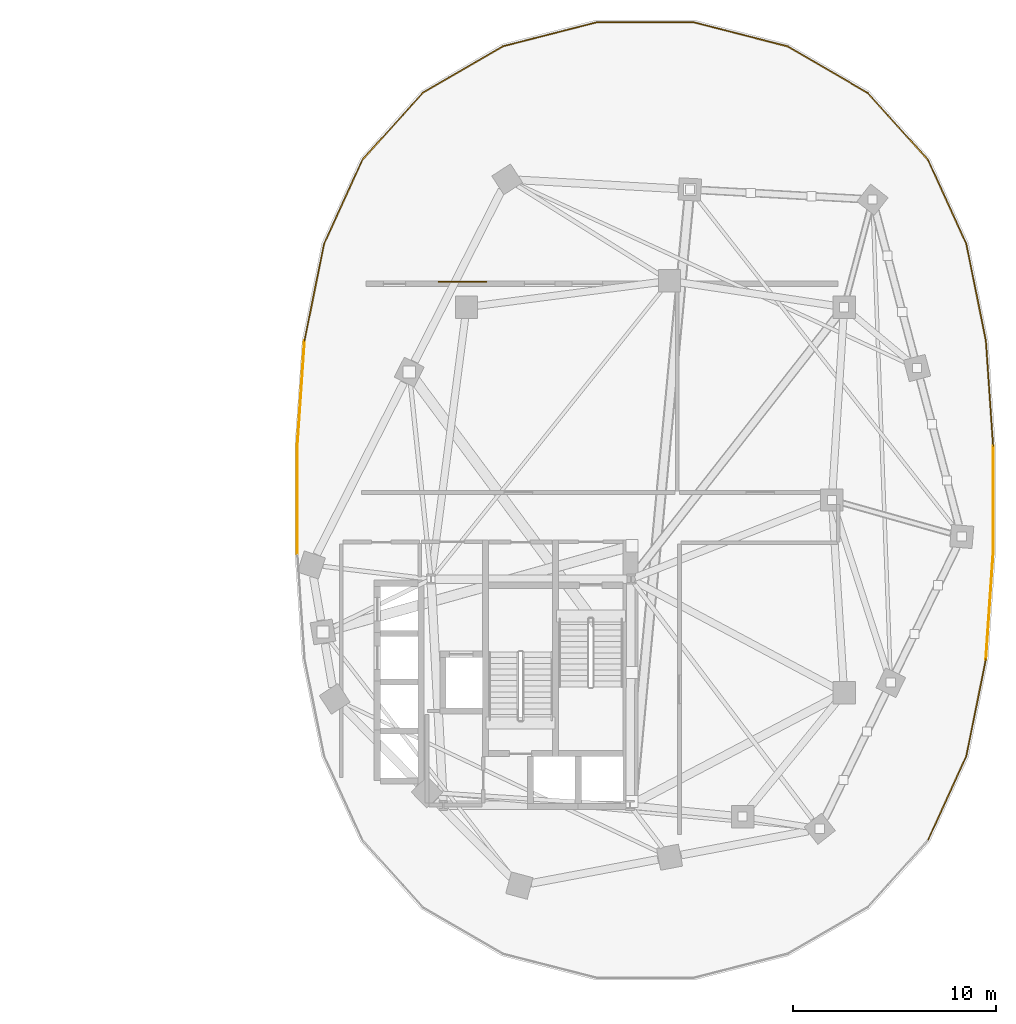
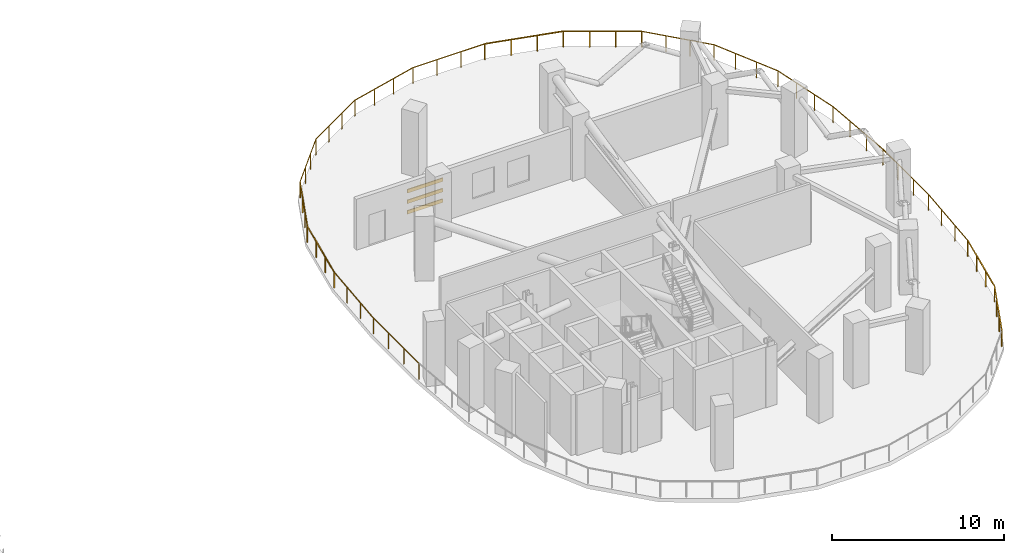
# One storey, part 13 of 13: 9 railings, 3 shading devices.
"""IFC4 building model written with IfcOpenShell, lengths in metres."""

from ifc_helpers import new_model, si_unit, direction, frame, origin, origin_2d, place, context, subcontext, project, spatial, rectangle, extrude, material, material_profile, profile_set, type_object, element, save


model = new_model("IFC4")

# Units and contexts
model_context = context("Model", 3, precision=1e-05, world=origin(), true_north=direction((0.0, 1.0)))
body_context = subcontext(model_context, "Body", "Model", "MODEL_VIEW")
ifc_project = project(units=[si_unit("LENGTHUNIT", "METRE"), si_unit("AREAUNIT", "SQUARE_METRE"), si_unit("VOLUMEUNIT", "CUBIC_METRE"), si_unit("PLANEANGLEUNIT", "RADIAN"), si_unit("MASSUNIT", "GRAM", prefix="KILO"), si_unit("THERMODYNAMICTEMPERATUREUNIT", "KELVIN"), si_unit("POWERUNIT", "WATT")], contexts=[model_context])

# Site, building, storey
site_placement = place(None, origin())
site = spatial("IfcSite", under=ifc_project, at=site_placement, CompositionType="ELEMENT")
building_placement = place(site_placement, origin())
building = spatial("IfcBuilding", under=site, at=building_placement, Name="Cundina Bronze Exchange", CompositionType="ELEMENT")
storey_placement = place(building_placement, frame((0.0, 0.0, 77.199951171875)))
storey = spatial("IfcBuildingStorey", under=building, at=storey_placement, Name="L19", CompositionType="ELEMENT", Elevation=77.199951171875)

# Railings
ifc_material = material(Name="Anodised Bronze Aluminium 6063-T6", Category="aluminium")
railing_type = type_object("IfcRailingType", Name="RLG-GRD-1150", PredefinedType="GUARDRAIL", material=ifc_material)
railing_1_placement = place(storey_placement, frame((49.14208984375, 2.660888671875, 0.0)))
element("IfcRailing", 1, at=railing_1_placement, inside=storey, type_object=railing_type, Name="L19 Perimeter Safety Guardrail 01", PredefinedType="GUARDRAIL", context=body_context, shape_type="SweptSolid", body=[
    extrude(rectangle(XDim=0.048095703125, YDim=0.048095703125, at=origin_2d()), frame((0.0, 0.0, 1.1259765625), z_axis=(0.0, -1.0, 0.0), x_axis=(1.0, 0.0, 0.0)), (0.0, 0.0, 1.0), 5.32177734375),
    extrude(rectangle(XDim=0.048095703125, YDim=0.048095703125, at=origin_2d()), frame((0.0, -5.32177734375, 1.1259765625), z_axis=(-0.068548934488, -0.997647755263, 0.0), x_axis=(0.997647755263, -0.068548934488, 0.0)), (0.0, 0.0, 1.0), 5.1962890625),
    extrude(rectangle(XDim=0.0419921875, YDim=0.0419921875, at=origin_2d()), origin(), (0.0, 0.0, 1.0), 1.101806640625),
    extrude(rectangle(XDim=0.0419921875, YDim=0.0419921875, at=origin_2d()), frame((0.0, -1.77392578125, 0.0)), (0.0, 0.0, 1.0), 1.101806640625),
    extrude(rectangle(XDim=0.0419921875, YDim=0.0419921875, at=origin_2d()), frame((0.0, -3.5478515625, 0.0)), (0.0, 0.0, 1.0), 1.101806640625),
    extrude(rectangle(XDim=0.0419921875, YDim=0.0419921875, at=origin_2d()), frame((0.0, -5.32177734375, 0.0)), (0.0, 0.0, 1.0), 1.101806640625),
    extrude(rectangle(XDim=0.0419921875, YDim=0.0419921875, at=origin_2d()), frame((-0.11865234375, -7.0498046875, 0.0)), (0.0, 0.0, 1.0), 1.101806640625),
    extrude(rectangle(XDim=0.0419921875, YDim=0.0419921875, at=origin_2d()), frame((-0.237548828125, -8.77783203125, 0.0)), (0.0, 0.0, 1.0), 1.101806640625),
    extrude(rectangle(XDim=0.0419921875, YDim=0.0419921875, at=origin_2d()), frame((-0.356201171875, -10.505859375, 0.0)), (0.0, 0.0, 1.0), 1.101806640625),
])
railing_2_placement = place(storey_placement, frame((48.785888671875, -7.844970703125, 0.0)))
element("IfcRailing", 2, at=railing_2_placement, inside=storey, type_object=railing_type, Name="L19 Perimeter Safety Guardrail 02", PredefinedType="GUARDRAIL", context=body_context, shape_type="SweptSolid", body=[
    extrude(rectangle(XDim=0.048095703125, YDim=0.048095703125, at=origin_2d()), frame((0.0, 0.0, 1.1259765625), z_axis=(-0.198060616224, -0.980189773616, 0.0), x_axis=(0.980189773616, -0.198060616224, 0.0)), (0.0, 0.0, 1.0), 4.87646484375),
    extrude(rectangle(XDim=0.048095703125, YDim=0.048095703125, at=origin_2d()), frame((-0.9658203125, -4.77978515625, 1.1259765625), z_axis=(-0.415419797692, -0.909629810244, 0.0), x_axis=(0.909629810244, -0.415419797692, 0.0)), (0.0, 0.0, 1.0), 4.548828125),
    extrude(rectangle(XDim=0.0419921875, YDim=0.0419921875, at=origin_2d()), origin(), (0.0, 0.0, 1.0), 1.101806640625),
    extrude(rectangle(XDim=0.0419921875, YDim=0.0419921875, at=origin_2d()), frame((-0.322021484375, -1.59326171875, 0.0)), (0.0, 0.0, 1.0), 1.101806640625),
    extrude(rectangle(XDim=0.0419921875, YDim=0.0419921875, at=origin_2d()), frame((-0.643798828125, -3.1865234375, 0.0)), (0.0, 0.0, 1.0), 1.101806640625),
    extrude(rectangle(XDim=0.0419921875, YDim=0.0419921875, at=origin_2d()), frame((-0.9658203125, -4.77978515625, 0.0)), (0.0, 0.0, 1.0), 1.101806640625),
    extrude(rectangle(XDim=0.0419921875, YDim=0.0419921875, at=origin_2d()), frame((-1.595703125, -6.158935546875, 0.0)), (0.0, 0.0, 1.0), 1.101806640625),
    extrude(rectangle(XDim=0.0419921875, YDim=0.0419921875, at=origin_2d()), frame((-2.2255859375, -7.538330078125, 0.0)), (0.0, 0.0, 1.0), 1.101806640625),
    extrude(rectangle(XDim=0.0419921875, YDim=0.0419921875, at=origin_2d()), frame((-2.85546875, -8.91748046875, 0.0)), (0.0, 0.0, 1.0), 1.101806640625),
])
railing_3_placement = place(storey_placement, frame((14.85791015625, -2.660888671875, 0.0)))
element("IfcRailing", 3, at=railing_3_placement, inside=storey, type_object=railing_type, Name="L19 Perimeter Safety Guardrail 08", PredefinedType="GUARDRAIL", context=body_context, shape_type="SweptSolid", body=[
    extrude(rectangle(XDim=0.048095703125, YDim=0.048095703125, at=origin_2d()), frame((0.0, 0.0, 1.1259765625), z_axis=(0.0, 1.0, 0.0), x_axis=(-1.0, 0.0, 0.0)), (0.0, 0.0, 1.0), 5.32177734375),
    extrude(rectangle(XDim=0.048095703125, YDim=0.048095703125, at=origin_2d()), frame((0.0, 5.32177734375, 1.1259765625), z_axis=(0.068548934488, 0.997647755263, 0.0), x_axis=(-0.997647755263, 0.068548934488, 0.0)), (0.0, 0.0, 1.0), 5.1962890625),
    extrude(rectangle(XDim=0.0419921875, YDim=0.0419921875, at=origin_2d()), origin(), (0.0, 0.0, 1.0), 1.101806640625),
    extrude(rectangle(XDim=0.0419921875, YDim=0.0419921875, at=origin_2d()), frame((0.0, 1.77392578125, 0.0)), (0.0, 0.0, 1.0), 1.101806640625),
    extrude(rectangle(XDim=0.0419921875, YDim=0.0419921875, at=origin_2d()), frame((0.0, 3.5478515625, 0.0)), (0.0, 0.0, 1.0), 1.101806640625),
    extrude(rectangle(XDim=0.0419921875, YDim=0.0419921875, at=origin_2d()), frame((0.0, 5.32177734375, 0.0)), (0.0, 0.0, 1.0), 1.101806640625),
    extrude(rectangle(XDim=0.0419921875, YDim=0.0419921875, at=origin_2d()), frame((0.11865234375, 7.0498046875, 0.0)), (0.0, 0.0, 1.0), 1.101806640625),
    extrude(rectangle(XDim=0.0419921875, YDim=0.0419921875, at=origin_2d()), frame((0.237548828125, 8.77783203125, 0.0)), (0.0, 0.0, 1.0), 1.101806640625),
    extrude(rectangle(XDim=0.0419921875, YDim=0.0419921875, at=origin_2d()), frame((0.356201171875, 10.505859375, 0.0)), (0.0, 0.0, 1.0), 1.101806640625),
])
railing_4_placement = place(storey_placement, frame((15.214111328125, 7.844970703125, 0.0)))
element("IfcRailing", 4, at=railing_4_placement, inside=storey, type_object=railing_type, Name="L19 Perimeter Safety Guardrail 09", PredefinedType="GUARDRAIL", context=body_context, shape_type="SweptSolid", body=[
    extrude(rectangle(XDim=0.048095703125, YDim=0.048095703125, at=origin_2d()), frame((0.0, 0.0, 1.1259765625), z_axis=(0.198060616224, 0.980189773616, 0.0), x_axis=(-0.980189773616, 0.198060616224, 0.0)), (0.0, 0.0, 1.0), 4.87646484375),
    extrude(rectangle(XDim=0.048095703125, YDim=0.048095703125, at=origin_2d()), frame((0.9658203125, 4.77978515625, 1.1259765625), z_axis=(0.415419797692, 0.909629810244, 0.0), x_axis=(-0.909629810244, 0.415419797692, 0.0)), (0.0, 0.0, 1.0), 4.548828125),
    extrude(rectangle(XDim=0.0419921875, YDim=0.0419921875, at=origin_2d()), origin(), (0.0, 0.0, 1.0), 1.101806640625),
    extrude(rectangle(XDim=0.0419921875, YDim=0.0419921875, at=origin_2d()), frame((0.322021484375, 1.59326171875, 0.0)), (0.0, 0.0, 1.0), 1.101806640625),
    extrude(rectangle(XDim=0.0419921875, YDim=0.0419921875, at=origin_2d()), frame((0.643798828125, 3.1865234375, 0.0)), (0.0, 0.0, 1.0), 1.101806640625),
    extrude(rectangle(XDim=0.0419921875, YDim=0.0419921875, at=origin_2d()), frame((0.9658203125, 4.77978515625, 0.0)), (0.0, 0.0, 1.0), 1.101806640625),
    extrude(rectangle(XDim=0.0419921875, YDim=0.0419921875, at=origin_2d()), frame((1.595703125, 6.158935546875, 0.0)), (0.0, 0.0, 1.0), 1.101806640625),
    extrude(rectangle(XDim=0.0419921875, YDim=0.0419921875, at=origin_2d()), frame((2.2255859375, 7.538330078125, 0.0)), (0.0, 0.0, 1.0), 1.101806640625),
    extrude(rectangle(XDim=0.0419921875, YDim=0.0419921875, at=origin_2d()), frame((2.85546875, 8.91748046875, 0.0)), (0.0, 0.0, 1.0), 1.101806640625),
])
railing_5_placement = place(storey_placement, frame((18.069580078125, 16.762451171875, 0.0)))
element("IfcRailing", 5, at=railing_5_placement, inside=storey, type_object=railing_type, Name="L19 Perimeter Safety Guardrail 10", PredefinedType="GUARDRAIL", context=body_context, shape_type="SweptSolid", body=[
    extrude(rectangle(XDim=0.048095703125, YDim=0.048095703125, at=origin_2d()), frame((0.0, 0.0, 1.1259765625), z_axis=(0.669381252421, 0.742919066189, 0.0), x_axis=(-0.742919066189, 0.669381252421, 0.0)), (0.0, 0.0, 1.0), 4.435546875),
    extrude(rectangle(XDim=0.048095703125, YDim=0.048095703125, at=origin_2d()), frame((2.968994140625, 3.295166015625, 1.1259765625), z_axis=(0.864468804017, 0.502686469762, 0.0), x_axis=(-0.502686469762, 0.864468804017, 0.0)), (0.0, 0.0, 1.0), 4.56396484375),
    extrude(rectangle(XDim=0.0419921875, YDim=0.0419921875, at=origin_2d()), origin(), (0.0, 0.0, 1.0), 1.101806640625),
    extrude(rectangle(XDim=0.0419921875, YDim=0.0419921875, at=origin_2d()), frame((0.98974609375, 1.098388671875, 0.0)), (0.0, 0.0, 1.0), 1.101806640625),
    extrude(rectangle(XDim=0.0419921875, YDim=0.0419921875, at=origin_2d()), frame((1.979248046875, 2.19677734375, 0.0)), (0.0, 0.0, 1.0), 1.101806640625),
    extrude(rectangle(XDim=0.0419921875, YDim=0.0419921875, at=origin_2d()), frame((2.968994140625, 3.295166015625, 0.0)), (0.0, 0.0, 1.0), 1.101806640625),
    extrude(rectangle(XDim=0.0419921875, YDim=0.0419921875, at=origin_2d()), frame((4.2841796875, 4.059814453125, 0.0)), (0.0, 0.0, 1.0), 1.101806640625),
    extrude(rectangle(XDim=0.0419921875, YDim=0.0419921875, at=origin_2d()), frame((5.59912109375, 4.82470703125, 0.0)), (0.0, 0.0, 1.0), 1.101806640625),
    extrude(rectangle(XDim=0.0419921875, YDim=0.0419921875, at=origin_2d()), frame((6.914306640625, 5.58935546875, 0.0)), (0.0, 0.0, 1.0), 1.101806640625),
])
railing_6_placement = place(storey_placement, frame((24.98388671875, 22.351806640625, 0.0)))
element("IfcRailing", 6, at=railing_6_placement, inside=storey, type_object=railing_type, Name="L19 Perimeter Safety Guardrail 11", PredefinedType="GUARDRAIL", context=body_context, shape_type="SweptSolid", body=[
    extrude(rectangle(XDim=0.048095703125, YDim=0.048095703125, at=origin_2d()), frame((0.0, 0.0, 1.1259765625), z_axis=(0.968744989664, 0.248058753123, 0.0), x_axis=(-0.248058753123, 0.968744989664, 0.0)), (0.0, 0.0, 1.0), 4.749755859375),
    extrude(rectangle(XDim=0.048095703125, YDim=0.048095703125, at=origin_2d()), frame((4.601318359375, 1.17822265625, 1.1259765625), z_axis=(1.0, 0.0, 0.0), x_axis=(0.0, 1.0, 0.0)), (0.0, 0.0, 1.0), 4.82958984375),
    extrude(rectangle(XDim=0.0419921875, YDim=0.0419921875, at=origin_2d()), origin(), (0.0, 0.0, 1.0), 1.101806640625),
    extrude(rectangle(XDim=0.0419921875, YDim=0.0419921875, at=origin_2d()), frame((1.53369140625, 0.392822265625, 0.0)), (0.0, 0.0, 1.0), 1.101806640625),
    extrude(rectangle(XDim=0.0419921875, YDim=0.0419921875, at=origin_2d()), frame((3.067626953125, 0.785400390625, 0.0)), (0.0, 0.0, 1.0), 1.101806640625),
    extrude(rectangle(XDim=0.0419921875, YDim=0.0419921875, at=origin_2d()), frame((4.601318359375, 1.17822265625, 0.0)), (0.0, 0.0, 1.0), 1.101806640625),
    extrude(rectangle(XDim=0.0419921875, YDim=0.0419921875, at=origin_2d()), frame((6.211181640625, 1.17822265625, 0.0)), (0.0, 0.0, 1.0), 1.101806640625),
    extrude(rectangle(XDim=0.0419921875, YDim=0.0419921875, at=origin_2d()), frame((7.821044921875, 1.17822265625, 0.0)), (0.0, 0.0, 1.0), 1.101806640625),
    extrude(rectangle(XDim=0.0419921875, YDim=0.0419921875, at=origin_2d()), frame((9.430908203125, 1.17822265625, 0.0)), (0.0, 0.0, 1.0), 1.101806640625),
])
railing_7_placement = place(storey_placement, frame((34.414794921875, 23.530029296875, 0.0)))
element("IfcRailing", 7, at=railing_7_placement, inside=storey, type_object=railing_type, Name="L19 Perimeter Safety Guardrail 12", PredefinedType="GUARDRAIL", context=body_context, shape_type="SweptSolid", body=[
    extrude(rectangle(XDim=0.048095703125, YDim=0.048095703125, at=origin_2d()), frame((0.0, 0.0, 1.1259765625), z_axis=(0.968744989664, -0.248058753123, 0.0), x_axis=(0.248058753123, 0.968744989664, 0.0)), (0.0, 0.0, 1.0), 4.749755859375),
    extrude(rectangle(XDim=0.048095703125, YDim=0.048095703125, at=origin_2d()), frame((4.601318359375, -1.17822265625, 1.1259765625), z_axis=(0.864468804017, -0.502686469762, 0.0), x_axis=(0.502686469762, 0.864468804017, 0.0)), (0.0, 0.0, 1.0), 4.56396484375),
    extrude(rectangle(XDim=0.0419921875, YDim=0.0419921875, at=origin_2d()), origin(), (0.0, 0.0, 1.0), 1.101806640625),
    extrude(rectangle(XDim=0.0419921875, YDim=0.0419921875, at=origin_2d()), frame((1.53369140625, -0.392822265625, 0.0)), (0.0, 0.0, 1.0), 1.101806640625),
    extrude(rectangle(XDim=0.0419921875, YDim=0.0419921875, at=origin_2d()), frame((3.067626953125, -0.785400390625, 0.0)), (0.0, 0.0, 1.0), 1.101806640625),
    extrude(rectangle(XDim=0.0419921875, YDim=0.0419921875, at=origin_2d()), frame((4.601318359375, -1.17822265625, 0.0)), (0.0, 0.0, 1.0), 1.101806640625),
    extrude(rectangle(XDim=0.0419921875, YDim=0.0419921875, at=origin_2d()), frame((5.91650390625, -1.94287109375, 0.0)), (0.0, 0.0, 1.0), 1.101806640625),
    extrude(rectangle(XDim=0.0419921875, YDim=0.0419921875, at=origin_2d()), frame((7.2314453125, -2.707763671875, 0.0)), (0.0, 0.0, 1.0), 1.101806640625),
    extrude(rectangle(XDim=0.0419921875, YDim=0.0419921875, at=origin_2d()), frame((8.546630859375, -3.472412109375, 0.0)), (0.0, 0.0, 1.0), 1.101806640625),
])
railing_8_placement = place(storey_placement, frame((42.96142578125, 20.0576171875, 0.0)))
element("IfcRailing", 8, at=railing_8_placement, inside=storey, type_object=railing_type, Name="L19 Perimeter Safety Guardrail 13", PredefinedType="GUARDRAIL", context=body_context, shape_type="SweptSolid", body=[
    extrude(rectangle(XDim=0.048095703125, YDim=0.048095703125, at=origin_2d()), frame((0.0, 0.0, 1.1259765625), z_axis=(0.669381252421, -0.742919066189, 0.0), x_axis=(0.742919066189, 0.669381252421, 0.0)), (0.0, 0.0, 1.0), 4.435546875),
    extrude(rectangle(XDim=0.048095703125, YDim=0.048095703125, at=origin_2d()), frame((2.968994140625, -3.295166015625, 1.1259765625), z_axis=(0.415419797692, -0.909629810244, 0.0), x_axis=(0.909629810244, 0.415419797692, 0.0)), (0.0, 0.0, 1.0), 4.548828125),
    extrude(rectangle(XDim=0.0419921875, YDim=0.0419921875, at=origin_2d()), origin(), (0.0, 0.0, 1.0), 1.101806640625),
    extrude(rectangle(XDim=0.0419921875, YDim=0.0419921875, at=origin_2d()), frame((0.98974609375, -1.098388671875, 0.0)), (0.0, 0.0, 1.0), 1.101806640625),
    extrude(rectangle(XDim=0.0419921875, YDim=0.0419921875, at=origin_2d()), frame((1.979248046875, -2.19677734375, 0.0)), (0.0, 0.0, 1.0), 1.101806640625),
    extrude(rectangle(XDim=0.0419921875, YDim=0.0419921875, at=origin_2d()), frame((2.968994140625, -3.295166015625, 0.0)), (0.0, 0.0, 1.0), 1.101806640625),
    extrude(rectangle(XDim=0.0419921875, YDim=0.0419921875, at=origin_2d()), frame((3.598876953125, -4.67431640625, 0.0)), (0.0, 0.0, 1.0), 1.101806640625),
    extrude(rectangle(XDim=0.0419921875, YDim=0.0419921875, at=origin_2d()), frame((4.228759765625, -6.0537109375, 0.0)), (0.0, 0.0, 1.0), 1.101806640625),
    extrude(rectangle(XDim=0.0419921875, YDim=0.0419921875, at=origin_2d()), frame((4.858642578125, -7.432861328125, 0.0)), (0.0, 0.0, 1.0), 1.101806640625),
])
railing_9_placement = place(storey_placement, frame((47.820068359375, 12.624755859375, 0.0)))
element("IfcRailing", 9, at=railing_9_placement, inside=storey, type_object=railing_type, Name="L19 Perimeter Safety Guardrail 14", PredefinedType="GUARDRAIL", context=body_context, shape_type="SweptSolid", body=[
    extrude(rectangle(XDim=0.048095703125, YDim=0.048095703125, at=origin_2d()), frame((0.0, 0.0, 1.1259765625), z_axis=(0.198060616224, -0.980189773616, 0.0), x_axis=(0.980189773616, 0.198060616224, 0.0)), (0.0, 0.0, 1.0), 4.87646484375),
    extrude(rectangle(XDim=0.048095703125, YDim=0.048095703125, at=origin_2d()), frame((0.9658203125, -4.77978515625, 1.1259765625), z_axis=(0.068548934488, -0.997647755263, 0.0), x_axis=(0.997647755263, 0.068548934488, 0.0)), (0.0, 0.0, 1.0), 5.1962890625),
    extrude(rectangle(XDim=0.0419921875, YDim=0.0419921875, at=origin_2d()), origin(), (0.0, 0.0, 1.0), 1.101806640625),
    extrude(rectangle(XDim=0.0419921875, YDim=0.0419921875, at=origin_2d()), frame((0.322021484375, -1.59326171875, 0.0)), (0.0, 0.0, 1.0), 1.101806640625),
    extrude(rectangle(XDim=0.0419921875, YDim=0.0419921875, at=origin_2d()), frame((0.643798828125, -3.1865234375, 0.0)), (0.0, 0.0, 1.0), 1.101806640625),
    extrude(rectangle(XDim=0.0419921875, YDim=0.0419921875, at=origin_2d()), frame((0.9658203125, -4.77978515625, 0.0)), (0.0, 0.0, 1.0), 1.101806640625),
    extrude(rectangle(XDim=0.0419921875, YDim=0.0419921875, at=origin_2d()), frame((1.08447265625, -6.5078125, 0.0)), (0.0, 0.0, 1.0), 1.101806640625),
    extrude(rectangle(XDim=0.0419921875, YDim=0.0419921875, at=origin_2d()), frame((1.203369140625, -8.23583984375, 0.0)), (0.0, 0.0, 1.0), 1.101806640625),
    extrude(rectangle(XDim=0.0419921875, YDim=0.0419921875, at=origin_2d()), frame((1.322021484375, -9.9638671875, 0.0)), (0.0, 0.0, 1.0), 1.101806640625),
])

# Shading devices
ifc_material_profile = material_profile(ifc_material, rectangle(XDim=0.06005859375, YDim=0.25, at=origin_2d()), Name="LVR60X250", Category="aluminium")
ifc_profile_set = profile_set([ifc_material_profile], Name="Anodised Bronze Aluminium 6063-T6")
shading_device_type = type_object("IfcShadingDeviceType", Name="SHD-LVR-BRZ250", PredefinedType="JALOUSIE", material=ifc_profile_set)
for number, where, z_axis, x_axis, name in (
    (10, (21.800048828125, 10.760009765625, 1.300048828125), (1.0, 0.0, 0.0), (0.0, 1.0, 0.0), "L19 Leg E Plant Intake Jalousie Louvre 1"),
    (11, (21.800048828125, 10.760009765625, 2.050048828125), (1.0, 0.0, 0.0), (0.0, 1.0, 0.0), "L19 Leg E Plant Intake Jalousie Louvre 2"),
    (12, (21.800048828125, 10.760009765625, 2.800048828125), (1.0, 0.0, 0.0), (0.0, 1.0, 0.0), "L19 Leg E Plant Intake Jalousie Louvre 3"),
):
    element("IfcShadingDevice", number, at=place(storey_placement, frame(where, z_axis=z_axis, x_axis=x_axis)), inside=storey, type_object=shading_device_type, Name=name, PredefinedType="JALOUSIE", context=body_context, shape_type="SweptSolid", body=[
        extrude(rectangle(XDim=0.06005859375, YDim=0.25, at=origin_2d()), origin(), (0.0, 0.0, 1.0), 2.39990234375),
    ])

save(model, "model.ifc")
